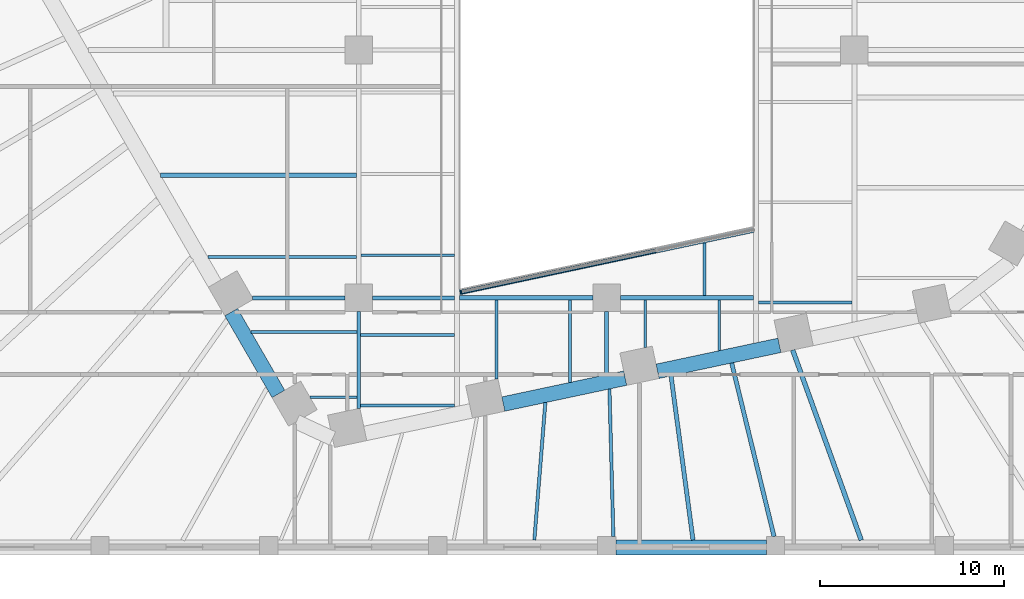
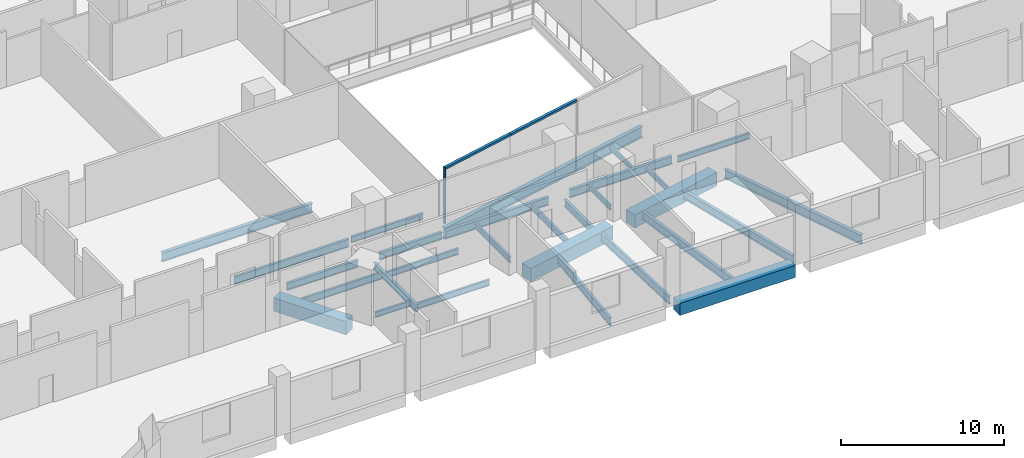
# One storey, part 2 of 29: 29 beams, 3 members, 1 element without a shape of its own.
"""IFC4 building model written with IfcOpenShell, lengths in metres."""

from ifc_helpers import new_model, si_unit, direction, frame, origin, origin_2d, place, context, subcontext, project, spatial, rectangle, i_section, extrude, material, layer, layer_set, material_profile, profile_set, type_object, element, aggregate, save


model = new_model("IFC4")

# Units and contexts
model_context = context("Model", 3, precision=1e-05, world=origin(), true_north=direction((0.0, 1.0)))
body_context = subcontext(model_context, "Body", "Model", "MODEL_VIEW")
ifc_project = project(units=[si_unit("LENGTHUNIT", "METRE"), si_unit("AREAUNIT", "SQUARE_METRE"), si_unit("VOLUMEUNIT", "CUBIC_METRE"), si_unit("PLANEANGLEUNIT", "RADIAN"), si_unit("MASSUNIT", "GRAM", prefix="KILO")], contexts=[model_context])

# Site, building, storey
site_placement = place(None, origin())
site = spatial("IfcSite", under=ifc_project, at=site_placement, CompositionType="ELEMENT")
building_placement = place(site_placement, origin())
building = spatial("IfcBuilding", under=site, at=building_placement, Name="Isthmus Gate Tower", CompositionType="ELEMENT")
storey_placement = place(building_placement, frame((0.0, 0.0, 27.0)))
storey = spatial("IfcBuildingStorey", under=building, at=storey_placement, Name="L04", CompositionType="ELEMENT", Elevation=27.0)

# Curtain wall, members
ifc_material_1 = material(Name="Aluminium, pale champagne anodised", Category="aluminium")
ifc_layer = layer(ifc_material_1, 0.199951171875)
ifc_layer_set = layer_set([ifc_layer], Name="CW-4 ATRIUM CURTAIN WALL 200 DEEP")
curtain_wall_type = type_object("IfcCurtainWallType", Name="CW-4 ATRIUM CURTAIN WALL 200 DEEP", PredefinedType="NOTDEFINED", material=ifc_layer_set)
curtain_wall_placement = place(storey_placement, origin())
curtain_wall = element("IfcCurtainWall", 1, at=curtain_wall_placement, inside=storey, type_object=curtain_wall_type, Name="CW-4 atrium south L04", PredefinedType="NOTDEFINED")
ifc_material_2 = material(Name="Aluminium, pale champagne anodised", Category="aluminium")
ifc_material_profile_1 = material_profile(ifc_material_2, rectangle(XDim=0.080078125, YDim=0.199951171875, at=origin_2d()), Name="80x200")
ifc_profile_set_1 = profile_set([ifc_material_profile_1], Name="Aluminium, pale champagne anodised")
member_type_1 = type_object("IfcMemberType", Name="CW-4 MULLION 80 X 200", PredefinedType="MULLION", material=ifc_profile_set_1)
member_1_placement = place(storey_placement, frame((-7.9296875, -26.682373046875, 0.0), z_axis=(0.0, 0.0, 1.0), x_axis=(0.978147600734, 0.207911690818, 0.0)))
member_1 = element("IfcMember", 2, at=member_1_placement, type_object=member_type_1, Name="CW-4 mullion", PredefinedType="MULLION", context=body_context, shape_type="SweptSolid", body=[
    extrude(rectangle(XDim=0.080078125, YDim=0.199951171875, at=origin_2d()), origin(), (0.0, 0.0, 1.0), 4.199951171875),
])
ifc_material_3 = material(Name="Aluminium, pale champagne anodised", Category="aluminium")
ifc_material_profile_2 = material_profile(ifc_material_3, rectangle(XDim=0.199951171875, YDim=0.14990234375, at=origin_2d()), Name="200x150")
ifc_profile_set_2 = profile_set([ifc_material_profile_2], Name="Aluminium, pale champagne anodised")
member_type_2 = type_object("IfcMemberType", Name="CW-4 TRANSOM 200 X 150", PredefinedType="USERDEFINED", material=ifc_profile_set_2)
member_2_placement = place(storey_placement, frame((-7.890625, -26.674072265625, 4.125), z_axis=(0.978150188204, 0.207899517354, 0.0), x_axis=(-0.207899517354, 0.978150188204, 0.0)))
member_2 = element("IfcMember", 3, at=member_2_placement, type_object=member_type_2, Name="CW-4 transom", ObjectType="TRANSOM", PredefinedType="USERDEFINED", context=body_context, shape_type="SweptSolid", body=[
    extrude(rectangle(XDim=0.199951171875, YDim=0.14990234375, at=origin_2d()), origin(), (0.0, 0.0, 1.0), 5.37255859375),
])
member_3_placement = place(storey_placement, frame((-2.635498046875, -25.55712890625, 4.125), z_axis=(0.978150315113, 0.207898920259, 0.0), x_axis=(-0.207898920259, 0.978150315113, 0.0)))
member_3 = element("IfcMember", 4, at=member_3_placement, type_object=member_type_2, Name="CW-4 transom", ObjectType="TRANSOM", PredefinedType="USERDEFINED", context=body_context, shape_type="SweptSolid", body=[
    extrude(rectangle(XDim=0.199951171875, YDim=0.14990234375, at=origin_2d()), origin(), (0.0, 0.0, 1.0), 5.452392578125),
])
aggregate(curtain_wall, [member_1, member_2, member_3])

# Beams
ifc_material_4 = material(Name="Concrete f'c 70 MPa", Category="concrete")
ifc_material_profile_3 = material_profile(ifc_material_4, rectangle(XDim=0.800048828125, YDim=0.89990234375, at=origin_2d()), Name="RC 800X900")
ifc_profile_set_3 = profile_set([ifc_material_profile_3], Name="Concrete f'c 70 MPa")
beam_type_1 = type_object("IfcBeamType", Name="RC EDGE BEAM 800 X 900", PredefinedType="BEAM", material=ifc_profile_set_3)
beam_1_placement = place(storey_placement, frame((8.699951171875, -40.60009765625, -0.75), z_axis=(-1.0, 0.0, 0.0), x_axis=(0.0, -1.0, 0.0)))
element("IfcBeam", 5, at=beam_1_placement, inside=storey, type_object=beam_type_1, Name="str-edgebeam-L04-32", PredefinedType="BEAM", context=body_context, shape_type="SweptSolid", body=[
    extrude(rectangle(XDim=0.800048828125, YDim=0.89990234375, at=origin_2d()), origin(), (0.0, 0.0, 1.0), 8.199951171875),
])
ifc_material_5 = material(Name="Concrete f'c 70 MPa", Category="concrete")
ifc_material_profile_4 = material_profile(ifc_material_5, rectangle(XDim=0.800048828125, YDim=1.0, at=origin_2d()), Name="RC 800X1000")
ifc_profile_set_4 = profile_set([ifc_material_profile_4], Name="Concrete f'c 70 MPa")
beam_type_2 = type_object("IfcBeamType", Name="RC TUBE RING BEAM 800 X 1000", PredefinedType="BEAM", material=ifc_profile_set_4)
for number, where, z_axis, x_axis, name in (
    (6, (9.415771484375, -29.589599609375, -0.800048828125), (-0.978145779981, -0.207920256603, 0.0), (0.207920256603, -0.978145779981, 0.0), "str-ringbeam-L04-11"),
    (7, (1.01416015625, -31.37548828125, -0.800048828125), (-0.978145779981, -0.207920256603, 0.0), (0.207920256603, -0.978145779981, 0.0), "str-ringbeam-L04-12"),
):
    element("IfcBeam", number, at=place(storey_placement, frame(where, z_axis=z_axis, x_axis=x_axis)), inside=storey, type_object=beam_type_2, Name=name, PredefinedType="BEAM", context=body_context, shape_type="SweptSolid", body=[
        extrude(rectangle(XDim=0.800048828125, YDim=1.0, at=origin_2d()), origin(), (0.0, 0.0, 1.0), 6.789306640625),
    ])
beam_2_placement = place(storey_placement, frame((-17.878173828125, -32.23388671875, -0.800048828125), z_axis=(-0.500044296292, 0.865999827798, 0.0), x_axis=(-0.865999827798, -0.500044296292, 0.0)))
element("IfcBeam", 8, at=beam_2_placement, inside=storey, type_object=beam_type_2, Name="str-ringbeam-L04-15", PredefinedType="BEAM", context=body_context, shape_type="SweptSolid", body=[
    extrude(rectangle(XDim=0.800048828125, YDim=1.0, at=origin_2d()), origin(), (0.0, 0.0, 1.0), 5.1435546875),
])
ifc_material_6 = material(Name="Structural steel ASTM A992 Gr 50", Category="steel")
ifc_material_profile_5 = material_profile(ifc_material_6, i_section(OverallWidth=0.1396484375, OverallDepth=0.4033203125, WebThickness=0.00634765625, FlangeThickness=0.010986328125, at=origin_2d()), Name="W16X31")
ifc_profile_set_5 = profile_set([ifc_material_profile_5], Name="Structural steel ASTM A992 Gr 50")
beam_type_3 = type_object("IfcBeamType", Name="STEEL FLOOR BEAM W16X31", PredefinedType="JOIST", material=ifc_profile_set_5)
beam_3_placement = place(storey_placement, frame((-16.162353515625, -32.406005859375, -0.501708984375), z_axis=(1.0, 0.0, 0.0), x_axis=(0.0, 1.0, 0.0)))
element("IfcBeam", 9, at=beam_3_placement, inside=storey, type_object=beam_type_3, Name="str-beam-L04-11-00", PredefinedType="JOIST", context=body_context, shape_type="SweptSolid", body=[
    extrude(i_section(OverallWidth=0.1396484375, OverallDepth=0.4033203125, WebThickness=0.00634765625, FlangeThickness=0.010986328125, at=origin_2d()), origin(), (0.0, 0.0, 1.0), 2.5576171875),
])
beam_4_placement = place(storey_placement, frame((5.333251953125, -26.8857421875, -0.501708984375), z_axis=(0.0, 1.0, 0.0), x_axis=(-1.0, 0.0, 0.0)))
element("IfcBeam", 10, at=beam_4_placement, inside=storey, type_object=beam_type_3, Name="str-beam-L04-20-00", PredefinedType="JOIST", context=body_context, shape_type="SweptSolid", body=[
    extrude(i_section(OverallWidth=0.1396484375, OverallDepth=0.4033203125, WebThickness=0.00634765625, FlangeThickness=0.010986328125, at=origin_2d()), origin(), (0.0, 0.0, 1.0), 2.877197265625),
])
beam_5_placement = place(storey_placement, frame((2.111572265625, -29.7109375, -0.501708984375), z_axis=(0.0, 1.0, 0.0), x_axis=(-1.0, 0.0, 0.0)))
element("IfcBeam", 11, at=beam_5_placement, inside=storey, type_object=beam_type_3, Name="str-beam-L04-21-00", PredefinedType="JOIST", context=body_context, shape_type="SweptSolid", body=[
    extrude(i_section(OverallWidth=0.1396484375, OverallDepth=0.4033203125, WebThickness=0.00634765625, FlangeThickness=0.010986328125, at=origin_2d()), origin(), (0.0, 0.0, 1.0), 2.5966796875),
])
beam_6_placement = place(storey_placement, frame((6.125, -29.880126953125, -0.501708984375), z_axis=(0.0, 1.0, 0.0), x_axis=(-1.0, 0.0, 0.0)))
element("IfcBeam", 12, at=beam_6_placement, inside=storey, type_object=beam_type_3, Name="str-beam-L04-21-01", PredefinedType="JOIST", context=body_context, shape_type="SweptSolid", body=[
    extrude(i_section(OverallWidth=0.1396484375, OverallDepth=0.4033203125, WebThickness=0.00634765625, FlangeThickness=0.010986328125, at=origin_2d()), origin(), (0.0, 0.0, 1.0), 2.765869140625),
])
ifc_material_7 = material(Name="Structural steel ASTM A992 Gr 50", Category="steel")
ifc_material_profile_6 = material_profile(ifc_material_7, i_section(OverallWidth=0.15234375, OverallDepth=0.45068359375, WebThickness=0.0078125, FlangeThickness=0.010986328125, at=origin_2d()), Name="W18X35")
ifc_profile_set_6 = profile_set([ifc_material_profile_6], Name="Structural steel ASTM A992 Gr 50")
beam_type_4 = type_object("IfcBeamType", Name="STEEL FLOOR BEAM W18X35", PredefinedType="JOIST", material=ifc_profile_set_6)
for number, where, z_axis, x_axis, name in (
    (13, (-13.395263671875, -32.85888671875, -0.525390625), (1.0, 0.0, 0.0), (0.0, 1.0, 0.0), "str-beam-L04-12-00"),
    (14, (-13.395263671875, -29.022705078125, -0.525390625), (1.0, 0.0, 0.0), (0.0, 1.0, 0.0), "str-beam-L04-12-01"),
):
    element("IfcBeam", number, at=place(storey_placement, frame(where, z_axis=z_axis, x_axis=x_axis)), inside=storey, type_object=beam_type_4, Name=name, PredefinedType="JOIST", context=body_context, shape_type="SweptSolid", body=[
        extrude(i_section(OverallWidth=0.15234375, OverallDepth=0.45068359375, WebThickness=0.0078125, FlangeThickness=0.010986328125, at=origin_2d()), origin(), (0.0, 0.0, 1.0), 5.103271484375),
    ])
beam_7_placement = place(storey_placement, frame((-13.373046875, -24.68017578125, -0.525390625), z_axis=(1.0, 0.0, 0.0), x_axis=(0.0, 1.0, 0.0)))
element("IfcBeam", 15, at=beam_7_placement, inside=storey, type_object=beam_type_4, Name="str-beam-L04-14-00", PredefinedType="JOIST", context=body_context, shape_type="SweptSolid", body=[
    extrude(i_section(OverallWidth=0.15234375, OverallDepth=0.45068359375, WebThickness=0.0078125, FlangeThickness=0.010986328125, at=origin_2d()), origin(), (0.0, 0.0, 1.0), 5.0810546875),
])
beam_8_placement = place(storey_placement, frame((-6.0, -31.43505859375, -0.525390625), z_axis=(0.0, 1.0, 0.0), x_axis=(-1.0, 0.0, 0.0)))
element("IfcBeam", 16, at=beam_8_placement, inside=storey, type_object=beam_type_4, Name="str-beam-L04-17-00", PredefinedType="JOIST", context=body_context, shape_type="SweptSolid", body=[
    extrude(i_section(OverallWidth=0.15234375, OverallDepth=0.45068359375, WebThickness=0.0078125, FlangeThickness=0.010986328125, at=origin_2d()), origin(), (0.0, 0.0, 1.0), 4.32080078125),
])
beam_9_placement = place(storey_placement, frame((-2.0, -31.607177734375, -0.525390625), z_axis=(0.0, 1.0, 0.0), x_axis=(-1.0, 0.0, 0.0)))
element("IfcBeam", 17, at=beam_9_placement, inside=storey, type_object=beam_type_4, Name="str-beam-L04-17-01", PredefinedType="JOIST", context=body_context, shape_type="SweptSolid", body=[
    extrude(i_section(OverallWidth=0.15234375, OverallDepth=0.45068359375, WebThickness=0.0078125, FlangeThickness=0.010986328125, at=origin_2d()), origin(), (0.0, 0.0, 1.0), 4.492919921875),
])
beam_10_placement = place(storey_placement, frame((8.263427734375, -27.25146484375, -0.525390625), z_axis=(1.0, 0.0, 0.0), x_axis=(0.0, 1.0, 0.0)))
element("IfcBeam", 18, at=beam_10_placement, inside=storey, type_object=beam_type_4, Name="str-beam-L04-25-00", PredefinedType="JOIST", context=body_context, shape_type="SweptSolid", body=[
    extrude(i_section(OverallWidth=0.15234375, OverallDepth=0.45068359375, WebThickness=0.0078125, FlangeThickness=0.010986328125, at=origin_2d()), origin(), (0.0, 0.0, 1.0), 5.103271484375),
])
ifc_material_8 = material(Name="Structural steel ASTM A992 Gr 50", Category="steel")
ifc_material_profile_7 = material_profile(ifc_material_8, i_section(OverallWidth=0.1650390625, OverallDepth=0.52392578125, WebThickness=0.009521484375, FlangeThickness=0.010986328125, at=origin_2d()), Name="W21X44")
ifc_profile_set_7 = profile_set([ifc_material_profile_7], Name="Structural steel ASTM A992 Gr 50")
beam_type_5 = type_object("IfcBeamType", Name="STEEL FLOOR BEAM W21X44", PredefinedType="JOIST", material=ifc_profile_set_7)
beam_11_placement = place(storey_placement, frame((-19.357421875, -28.871826171875, -0.56201171875), z_axis=(1.0, 0.0, 0.0), x_axis=(0.0, 1.0, 0.0)))
element("IfcBeam", 19, at=beam_11_placement, inside=storey, type_object=beam_type_5, Name="str-beam-L04-11-01", PredefinedType="JOIST", context=body_context, shape_type="SweptSolid", body=[
    extrude(i_section(OverallWidth=0.1650390625, OverallDepth=0.52392578125, WebThickness=0.009521484375, FlangeThickness=0.010986328125, at=origin_2d()), origin(), (0.0, 0.0, 1.0), 5.752685546875),
])
ifc_material_9 = material(Name="Structural steel ASTM A992 Gr 50", Category="steel")
ifc_material_profile_8 = material_profile(ifc_material_9, i_section(OverallWidth=0.177734375, OverallDepth=0.60009765625, WebThickness=0.009521484375, FlangeThickness=0.0126953125, at=origin_2d()), Name="W24X55")
ifc_profile_set_8 = profile_set([ifc_material_profile_8], Name="Structural steel ASTM A992 Gr 50")
beam_type_6 = type_object("IfcBeamType", Name="STEEL FLOOR BEAM W24X55", PredefinedType="JOIST", material=ifc_profile_set_8)
beam_12_placement = place(storey_placement, frame((-21.724365234375, -24.772216796875, -0.60009765625), z_axis=(1.0, 0.0, 0.0), x_axis=(0.0, 1.0, 0.0)))
element("IfcBeam", 20, at=beam_12_placement, inside=storey, type_object=beam_type_6, Name="str-beam-L04-07-00", PredefinedType="JOIST", context=body_context, shape_type="SweptSolid", body=[
    extrude(i_section(OverallWidth=0.177734375, OverallDepth=0.60009765625, WebThickness=0.009521484375, FlangeThickness=0.0126953125, at=origin_2d()), origin(), (0.0, 0.0, 1.0), 8.097412109375),
])
beam_13_placement = place(storey_placement, frame((-3.336669921875, -32.709228515625, -0.60009765625), z_axis=(-0.079791708098, -0.99681155858, 0.0), x_axis=(0.99681155858, -0.079791708098, 0.0)))
element("IfcBeam", 21, at=beam_13_placement, inside=storey, type_object=beam_type_6, Name="str-beam-L04-19-52", PredefinedType="JOIST", context=body_context, shape_type="SweptSolid", body=[
    extrude(i_section(OverallWidth=0.177734375, OverallDepth=0.60009765625, WebThickness=0.009521484375, FlangeThickness=0.0126953125, at=origin_2d()), origin(), (0.0, 0.0, 1.0), 7.5146484375),
])
beam_14_placement = place(storey_placement, frame((0.155029296875, -31.967041015625, -0.60009765625), z_axis=(0.0266142814, -0.999645777276, 0.0), x_axis=(0.999645777276, 0.0266142814, 0.0)))
element("IfcBeam", 22, at=beam_14_placement, inside=storey, type_object=beam_type_6, Name="str-beam-L04-19-53", PredefinedType="JOIST", context=body_context, shape_type="SweptSolid", body=[
    extrude(i_section(OverallWidth=0.177734375, OverallDepth=0.60009765625, WebThickness=0.009521484375, FlangeThickness=0.0126953125, at=origin_2d()), origin(), (0.0, 0.0, 1.0), 8.035888671875),
])
ifc_material_10 = material(Name="Structural steel ASTM A992 Gr 50", Category="steel")
ifc_material_profile_9 = material_profile(ifc_material_10, i_section(OverallWidth=0.228515625, OverallDepth=0.603271484375, WebThickness=0.010986328125, FlangeThickness=0.014404296875, at=origin_2d()), Name="W24X68")
ifc_profile_set_9 = profile_set([ifc_material_profile_9], Name="Structural steel ASTM A992 Gr 50")
beam_type_7 = type_object("IfcBeamType", Name="STEEL FLOOR BEAM W24X68", PredefinedType="JOIST", material=ifc_profile_set_9)
beam_15_placement = place(storey_placement, frame((3.511474609375, -31.253662109375, -0.6015625), z_axis=(0.132725332114, -0.991152857139, 0.0), x_axis=(0.991152857139, 0.132725332114, 0.0)))
element("IfcBeam", 23, at=beam_15_placement, inside=storey, type_object=beam_type_7, Name="str-beam-L04-19-54", PredefinedType="JOIST", context=body_context, shape_type="SweptSolid", body=[
    extrude(i_section(OverallWidth=0.228515625, OverallDepth=0.603271484375, WebThickness=0.010986328125, FlangeThickness=0.014404296875, at=origin_2d()), origin(), (0.0, 0.0, 1.0), 9.026123046875),
])
beam_16_placement = place(storey_placement, frame((6.8134765625, -30.5517578125, -0.6015625), z_axis=(0.237334657836, -0.971427949047, 0.0), x_axis=(0.971427949047, 0.237334657836, 0.0)))
element("IfcBeam", 24, at=beam_16_placement, inside=storey, type_object=beam_type_7, Name="str-beam-L04-19-55", PredefinedType="JOIST", context=body_context, shape_type="SweptSolid", body=[
    extrude(i_section(OverallWidth=0.228515625, OverallDepth=0.603271484375, WebThickness=0.010986328125, FlangeThickness=0.014404296875, at=origin_2d()), origin(), (0.0, 0.0, 1.0), 9.72607421875),
])
ifc_material_11 = material(Name="Structural steel ASTM A992 Gr 50", Category="steel")
ifc_material_profile_10 = material_profile(ifc_material_11, i_section(OverallWidth=0.25390625, OverallDepth=0.679443359375, WebThickness=0.010986328125, FlangeThickness=0.015869140625, at=origin_2d()), Name="W27X84")
ifc_profile_set_10 = profile_set([ifc_material_profile_10], Name="Structural steel ASTM A992 Gr 50")
beam_type_8 = type_object("IfcBeamType", Name="STEEL FLOOR BEAM W27X84", PredefinedType="JOIST", material=ifc_profile_set_10)
beam_17_placement = place(storey_placement, frame((-24.296875, -20.316650390625, -0.6396484375), z_axis=(1.0, 0.0, 0.0), x_axis=(0.0, 1.0, 0.0)))
element("IfcBeam", 25, at=beam_17_placement, inside=storey, type_object=beam_type_8, Name="str-beam-L04-07-01", PredefinedType="JOIST", context=body_context, shape_type="SweptSolid", body=[
    extrude(i_section(OverallWidth=0.25390625, OverallDepth=0.679443359375, WebThickness=0.010986328125, FlangeThickness=0.015869140625, at=origin_2d()), origin(), (0.0, 0.0, 1.0), 10.669921875),
])
beam_18_placement = place(storey_placement, frame((10.136962890625, -29.84521484375, -0.6396484375), z_axis=(0.339236206962, -0.940701225622, 0.0), x_axis=(0.940701225622, 0.339236206962, 0.0)))
element("IfcBeam", 26, at=beam_18_placement, inside=storey, type_object=beam_type_8, Name="str-beam-L04-19-56", PredefinedType="JOIST", context=body_context, shape_type="SweptSolid", body=[
    extrude(i_section(OverallWidth=0.25390625, OverallDepth=0.679443359375, WebThickness=0.010986328125, FlangeThickness=0.015869140625, at=origin_2d()), origin(), (0.0, 0.0, 1.0), 11.007568359375),
])
ifc_material_12 = material(Name="Structural steel ASTM A992 Gr 50", Category="steel")
ifc_material_profile_11 = material_profile(ifc_material_12, i_section(OverallWidth=0.20947265625, OverallDepth=0.533447265625, WebThickness=0.009521484375, FlangeThickness=0.015869140625, at=origin_2d()), Name="W21X62")
ifc_profile_set_11 = profile_set([ifc_material_profile_11], Name="Structural steel ASTM A992 Gr 50")
beam_type_9 = type_object("IfcBeamType", Name="STEEL GIRDER W21X62", PredefinedType="BEAM", material=ifc_profile_set_11)
beam_19_placement = place(storey_placement, frame((-19.283447265625, -27.0, -0.566650390625), z_axis=(1.0, 0.0, 0.0), x_axis=(0.0, 1.0, 0.0)))
element("IfcBeam", 27, at=beam_19_placement, inside=storey, type_object=beam_type_9, Name="str-girder-L04-01", PredefinedType="BEAM", context=body_context, shape_type="SweptSolid", body=[
    extrude(i_section(OverallWidth=0.20947265625, OverallDepth=0.533447265625, WebThickness=0.009521484375, FlangeThickness=0.015869140625, at=origin_2d()), origin(), (0.0, 0.0, 1.0), 5.033447265625),
])
beam_20_placement = place(storey_placement, frame((-12.75, -27.0, -0.566650390625), z_axis=(1.0, 0.0, 0.0), x_axis=(0.0, 1.0, 0.0)))
element("IfcBeam", 28, at=beam_20_placement, inside=storey, type_object=beam_type_9, Name="str-girder-L04-02", PredefinedType="BEAM", context=body_context, shape_type="SweptSolid", body=[
    extrude(i_section(OverallWidth=0.20947265625, OverallDepth=0.533447265625, WebThickness=0.009521484375, FlangeThickness=0.015869140625, at=origin_2d()), origin(), (0.0, 0.0, 1.0), 4.4580078125),
])
beam_21_placement = place(storey_placement, frame((-13.5, -33.029296875, -0.566650390625), z_axis=(0.0, 1.0, 0.0), x_axis=(-1.0, 0.0, 0.0)))
element("IfcBeam", 29, at=beam_21_placement, inside=storey, type_object=beam_type_9, Name="str-girder-L04-23", PredefinedType="BEAM", context=body_context, shape_type="SweptSolid", body=[
    extrude(i_section(OverallWidth=0.20947265625, OverallDepth=0.533447265625, WebThickness=0.009521484375, FlangeThickness=0.015869140625, at=origin_2d()), origin(), (0.0, 0.0, 1.0), 5.279296875),
])
beam_22_placement = place(storey_placement, frame((0.0, -31.18212890625, -0.566650390625), z_axis=(0.0, 1.0, 0.0), x_axis=(-1.0, 0.0, 0.0)))
element("IfcBeam", 30, at=beam_22_placement, inside=storey, type_object=beam_type_9, Name="str-girder-L04-28", PredefinedType="BEAM", context=body_context, shape_type="SweptSolid", body=[
    extrude(i_section(OverallWidth=0.20947265625, OverallDepth=0.533447265625, WebThickness=0.009521484375, FlangeThickness=0.015869140625, at=origin_2d()), origin(), (0.0, 0.0, 1.0), 3.43212890625),
])
ifc_material_13 = material(Name="Structural steel ASTM A992 Gr 50", Category="steel")
ifc_material_profile_12 = material_profile(ifc_material_13, i_section(OverallWidth=0.228515625, OverallDepth=0.603271484375, WebThickness=0.010986328125, FlangeThickness=0.014404296875, at=origin_2d()), Name="W24X68")
ifc_profile_set_12 = profile_set([ifc_material_profile_12], Name="Structural steel ASTM A992 Gr 50")
beam_type_10 = type_object("IfcBeamType", Name="STEEL GIRDER W24X68", PredefinedType="BEAM", material=ifc_profile_set_12)
for number, where, z_axis, x_axis, name in (
    (31, (-8.0, -27.0, -0.6015625), (1.0, 0.0, 0.0), (0.0, 1.0, 0.0), "str-girder-L04-03"),
    (32, (0.75, -27.0, -0.6015625), (1.0, 0.0, 0.0), (0.0, 1.0, 0.0), "str-girder-L04-04"),
):
    element("IfcBeam", number, at=place(storey_placement, frame(where, z_axis=z_axis, x_axis=x_axis)), inside=storey, type_object=beam_type_10, Name=name, PredefinedType="BEAM", context=body_context, shape_type="SweptSolid", body=[
        extrude(i_section(OverallWidth=0.228515625, OverallDepth=0.603271484375, WebThickness=0.010986328125, FlangeThickness=0.014404296875, at=origin_2d()), origin(), (0.0, 0.0, 1.0), 7.25),
    ])
ifc_material_14 = material(Name="Structural steel ASTM A992 Gr 50", Category="steel")
ifc_material_profile_13 = material_profile(ifc_material_14, i_section(OverallWidth=0.2919921875, OverallDepth=0.8349609375, WebThickness=0.014404296875, FlangeThickness=0.01904296875, at=origin_2d()), Name="W33X118")
ifc_profile_set_13 = profile_set([ifc_material_profile_13], Name="Structural steel ASTM A992 Gr 50")
beam_type_11 = type_object("IfcBeamType", Name="STEEL TRIMMER W33X118", PredefinedType="BEAM", material=ifc_profile_set_13)
beam_23_placement = place(storey_placement, frame((-8.0, -26.693359375, -0.717529296875), z_axis=(0.978147924985, 0.20791016533, 0.0), x_axis=(-0.20791016533, 0.978147924985, 0.0)))
element("IfcBeam", 33, at=beam_23_placement, inside=storey, type_object=beam_type_11, Name="str-trimmer-L04-11", PredefinedType="BEAM", context=body_context, shape_type="SweptSolid", body=[
    extrude(i_section(OverallWidth=0.2919921875, OverallDepth=0.8349609375, WebThickness=0.014404296875, FlangeThickness=0.01904296875, at=origin_2d()), origin(), (0.0, 0.0, 1.0), 16.357421875),
])

save(model, "model.ifc")
